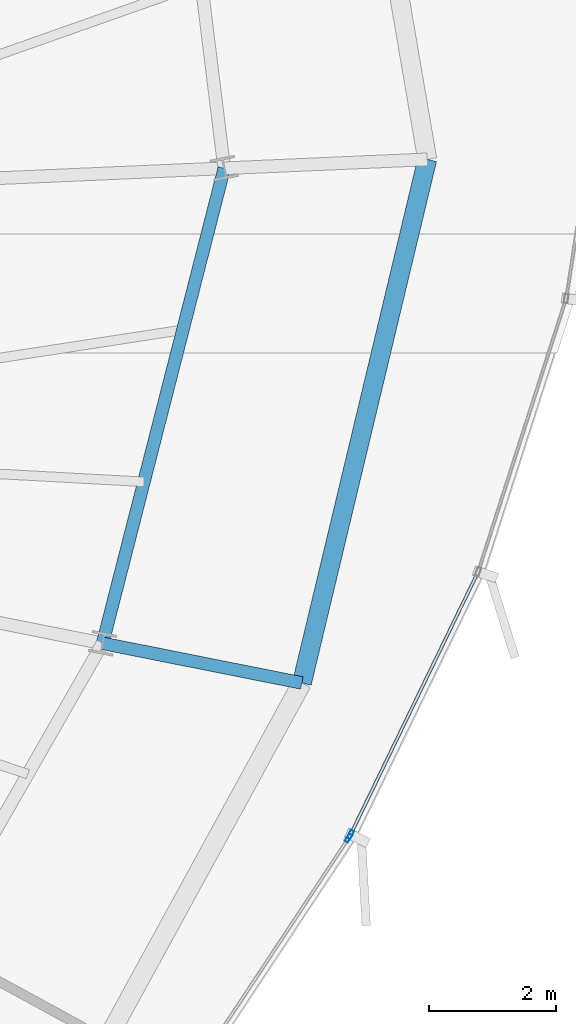
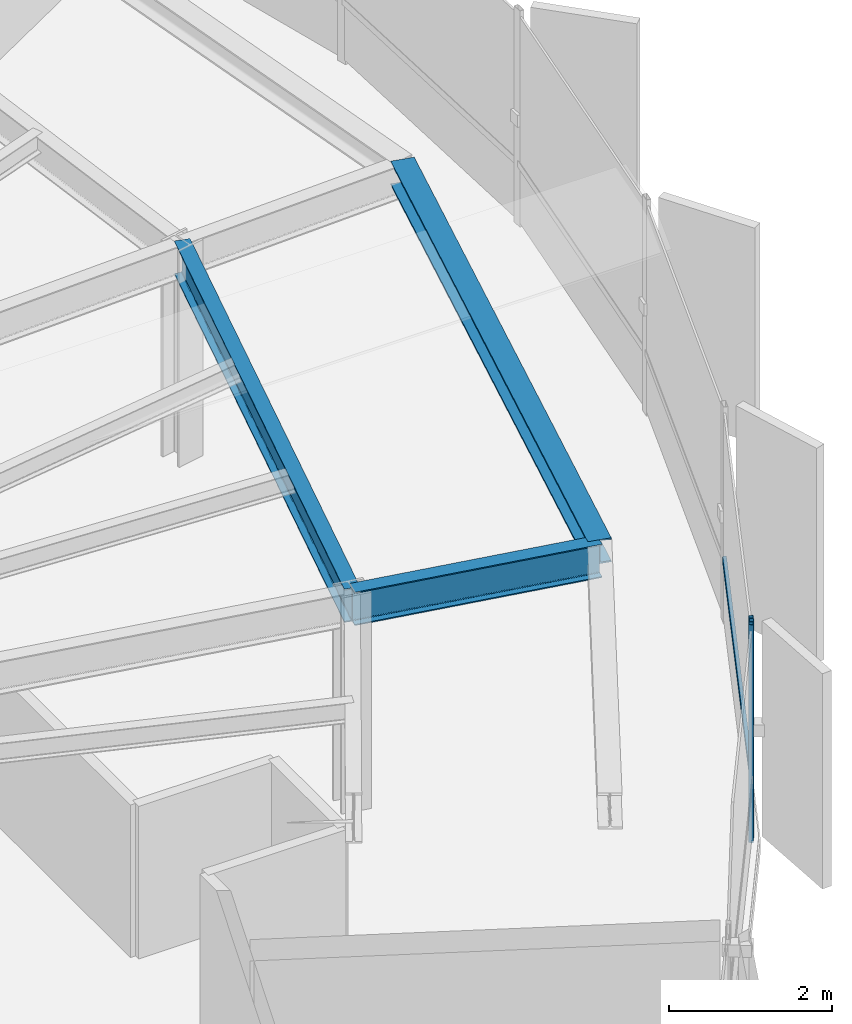
# One storey, part 17 of 34: 3 beams, 3 members, 2 elements without a shape of their own.
"""IFC4 building model written with IfcOpenShell, lengths in metres."""

from ifc_helpers import new_model, si_unit, direction, frame, origin, origin_2d, place, context, subcontext, project, spatial, hollow_rectangle, i_section, extrude, source, transform, mapped, material, layer, layer_set, material_profile, profile_set, type_object, element, aggregate, save


model = new_model("IFC4")

# Units and contexts
model_context = context("Model", 3, precision=1e-05, world=origin(), true_north=direction((0.0, 1.0)))
body_context = subcontext(model_context, "Body", "Model", "MODEL_VIEW")
ifc_project = project(units=[si_unit("LENGTHUNIT", "METRE"), si_unit("AREAUNIT", "SQUARE_METRE"), si_unit("VOLUMEUNIT", "CUBIC_METRE"), si_unit("PLANEANGLEUNIT", "RADIAN"), si_unit("MASSUNIT", "GRAM", prefix="KILO"), si_unit("THERMODYNAMICTEMPERATUREUNIT", "KELVIN")], contexts=[model_context])

# Site, building, storey
site_placement = place(None, origin())
site = spatial("IfcSite", under=ifc_project, at=site_placement, CompositionType="ELEMENT")
building_placement = place(site_placement, origin())
building = spatial("IfcBuilding", under=site, at=building_placement, Name="Kethvar Cultural Tower", CompositionType="ELEMENT")
storey_placement = place(building_placement, frame((0.0, 0.0, 183.39990234375)))
storey = spatial("IfcBuildingStorey", under=building, at=storey_placement, Name="L47", CompositionType="ELEMENT", Elevation=183.39990234375)

# Beams
ifc_material_1 = material(Name="Steel S355J2", Category="steel")
ifc_material_profile_1 = material_profile(ifc_material_1, i_section(OverallWidth=0.199951171875, OverallDepth=0.5, WebThickness=0.01025390625, FlangeThickness=0.01611328125, FilletRadius=0.02099609375, at=origin_2d()), Name="Steel S355J2 — IPE500")
ifc_profile_set_1 = profile_set([ifc_material_profile_1], Name="Steel S355J2 — IPE500")
beam_type_1 = type_object("IfcBeamType", Name="BM-IPE500", PredefinedType="BEAM", material=ifc_profile_set_1)
shared_shape_1 = source(origin(), body_context, "Body", "SweptSolid", [
    extrude(i_section(OverallWidth=0.199951171875, OverallDepth=0.5, WebThickness=0.01025390625, FlangeThickness=0.01611328125, FilletRadius=0.02099609375, at=origin_2d()), origin(), (0.0, 0.0, 1.0), 3.199951171875),
])
beam_1_placement = place(storey_placement, frame((64.648681640625, 24.249755859375, 3.008056640625), z_axis=(0.980785550224, -0.195088965533, 0.0), x_axis=(0.195088965533, 0.980785550224, 0.0)))
element("IfcBeam", 1, at=beam_1_placement, inside=storey, type_object=beam_type_1, Name="L47 Perimeter Cantilever Beam RC-16", PredefinedType="BEAM", context=body_context, shape_type="MappedRepresentation", body=[
    mapped(shared_shape_1, transform((0.0, 0.0, 0.0), scale=1.0)),
])
shared_shape_2 = source(origin(), body_context, "Body", "SweptSolid", [
    extrude(i_section(OverallWidth=0.199951171875, OverallDepth=0.5, WebThickness=0.01025390625, FlangeThickness=0.01611328125, FilletRadius=0.02099609375, at=origin_2d()), origin(), (0.0, 0.0, 1.0), 7.72265625),
])
beam_2_placement = place(storey_placement, frame((64.648681640625, 24.249755859375, 3.008056640625), z_axis=(0.248006445258, 0.968758382214, 0.0), x_axis=(-0.968758382214, 0.248006445258, 0.0)))
element("IfcBeam", 2, at=beam_2_placement, inside=storey, type_object=beam_type_1, Name="L47 Column Ring Tie Beam CR-16", PredefinedType="BEAM", context=body_context, shape_type="MappedRepresentation", body=[
    mapped(shared_shape_2, transform((0.0, 0.0, 0.0), scale=1.0)),
])
ifc_material_profile_2 = material_profile(ifc_material_1, i_section(OverallWidth=0.300048828125, OverallDepth=0.360107421875, WebThickness=0.012451171875, FlangeThickness=0.0224609375, FilletRadius=0.027099609375, at=origin_2d()), Name="Steel S355J2 — HEB360")
ifc_profile_set_2 = profile_set([ifc_material_profile_2], Name="Steel S355J2 — HEB360")
beam_type_2 = type_object("IfcBeamType", Name="BM-SP360", PredefinedType="SPANDREL", material=ifc_profile_set_2)
shared_shape_3 = source(origin(), body_context, "Body", "SweptSolid", [
    extrude(i_section(OverallWidth=0.300048828125, OverallDepth=0.360107421875, WebThickness=0.012451171875, FlangeThickness=0.0224609375, FilletRadius=0.027099609375, at=origin_2d()), origin(), (0.0, 0.0, 1.0), 8.47900390625),
])
beam_3_placement = place(storey_placement, frame((67.787109375, 23.62548828125, 3.078125), z_axis=(0.232794647368, 0.97252591336, 0.0), x_axis=(-0.97252591336, 0.232794647368, 0.0)))
element("IfcBeam", 3, at=beam_3_placement, inside=storey, type_object=beam_type_2, Name="L47 Perimeter Spandrel Beam SP-16", PredefinedType="SPANDREL", context=body_context, shape_type="MappedRepresentation", body=[
    mapped(shared_shape_3, transform((0.0, 0.0, 0.0), scale=1.0)),
])

# Curtain wall, member
ifc_material_2 = material(Name="Aluminium 6063-T6", Category="aluminium")
ifc_layer = layer(ifc_material_2, 0.179931640625, Name="Aluminium 6063-T6", Category="aluminium")
ifc_layer_set = layer_set([ifc_layer], Name="Aluminium 6063-T6 (180 mm)")
curtain_wall_type = type_object("IfcCurtainWallType", Name="CW-SYS-04-Z34", PredefinedType="NOTDEFINED", material=ifc_layer_set)
curtain_wall_1_placement = place(storey_placement, origin())
curtain_wall_1 = element("IfcCurtainWall", 4, at=curtain_wall_1_placement, inside=storey, type_object=curtain_wall_type, Name="L47 Curtain Wall Run 05", PredefinedType="NOTDEFINED")
ifc_material_profile_3 = material_profile(ifc_material_2, hollow_rectangle(XDim=0.06005859375, YDim=0.139892578125, WallThickness=0.0048828125, at=origin_2d()), Name="Aluminium 6063-T6 — RHS140x60x5")
ifc_profile_set_3 = profile_set([ifc_material_profile_3], Name="Aluminium 6063-T6 — RHS140x60x5")
member_type_1 = type_object("IfcMemberType", Name="CW-SYS-04-Z34-MUL", PredefinedType="MULLION", material=ifc_profile_set_3)
shared_shape_4 = source(origin(), body_context, "Body", "SweptSolid", [
    extrude(hollow_rectangle(XDim=0.06005859375, YDim=0.139892578125, WallThickness=0.0048828125, at=origin_2d()), origin(), (0.0, 0.0, 1.0), 3.260009765625),
])
member_1_placement = place(storey_placement, frame((68.522216796875, 21.1826171875, 0.0), z_axis=(0.0, 0.0, 1.0), x_axis=(-0.833808748998, 0.552053412357, 0.0)))
member_1 = element("IfcMember", 5, at=member_1_placement, type_object=member_type_1, Name="CW-L47-R05 Mullion 7", PredefinedType="MULLION", context=body_context, shape_type="MappedRepresentation", body=[
    mapped(shared_shape_4, transform((0.0, 0.0, 0.0), scale=1.0)),
])
aggregate(curtain_wall_1, [member_1])

# Curtain wall, members
curtain_wall_2_placement = place(storey_placement, origin())
curtain_wall_2 = element("IfcCurtainWall", 6, at=curtain_wall_2_placement, inside=storey, type_object=curtain_wall_type, Name="L47 Curtain Wall Run 06", PredefinedType="NOTDEFINED")
member_2_placement = place(storey_placement, frame((68.553466796875, 21.2373046875, 0.0), z_axis=(0.0, 0.0, 1.0), x_axis=(-0.899588271281, 0.436738986323, 0.0)))
member_2 = element("IfcMember", 7, at=member_2_placement, type_object=member_type_1, Name="CW-L47-R06 Mullion 1", PredefinedType="MULLION", context=body_context, shape_type="MappedRepresentation", body=[
    mapped(shared_shape_4, transform((0.0, 0.0, 0.0), scale=1.0)),
])
ifc_material_profile_4 = material_profile(ifc_material_2, hollow_rectangle(XDim=0.050048828125, YDim=0.10009765625, WallThickness=0.00390625, at=origin_2d()), Name="Aluminium 6063-T6 — RHS100x50x4")
ifc_profile_set_4 = profile_set([ifc_material_profile_4], Name="Aluminium 6063-T6 — RHS100x50x4")
member_type_2 = type_object("IfcMemberType", Name="CW-SYS-04-Z34-TRN", PredefinedType="USERDEFINED", material=ifc_profile_set_4)
shared_shape_5 = source(origin(), body_context, "Body", "SweptSolid", [
    extrude(hollow_rectangle(XDim=0.050048828125, YDim=0.10009765625, WallThickness=0.00390625, at=origin_2d()), origin(), (0.0, 0.0, 1.0), 4.56640625),
])
member_3_placement = place(storey_placement, frame((68.55517578125, 21.2412109375, 0.9501953125), z_axis=(0.436746989607, 0.899584385741, 0.0), x_axis=(-0.899584385741, 0.436746989607, 0.0)))
member_3 = element("IfcMember", 8, at=member_3_placement, type_object=member_type_2, Name="CW-L47-R06 Transom 1", ObjectType="TRANSOM", PredefinedType="USERDEFINED", context=body_context, shape_type="MappedRepresentation", body=[
    mapped(shared_shape_5, transform((0.0, 0.0, 0.0), scale=1.0)),
])
aggregate(curtain_wall_2, [member_2, member_3])

save(model, "model.ifc")
